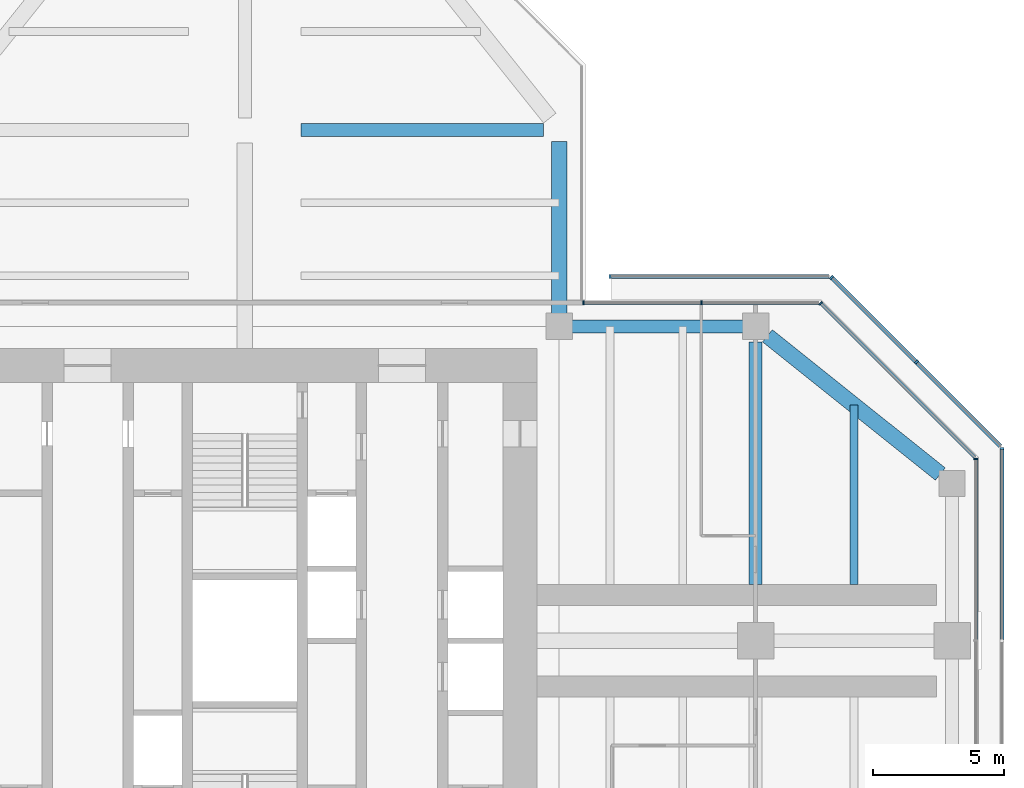
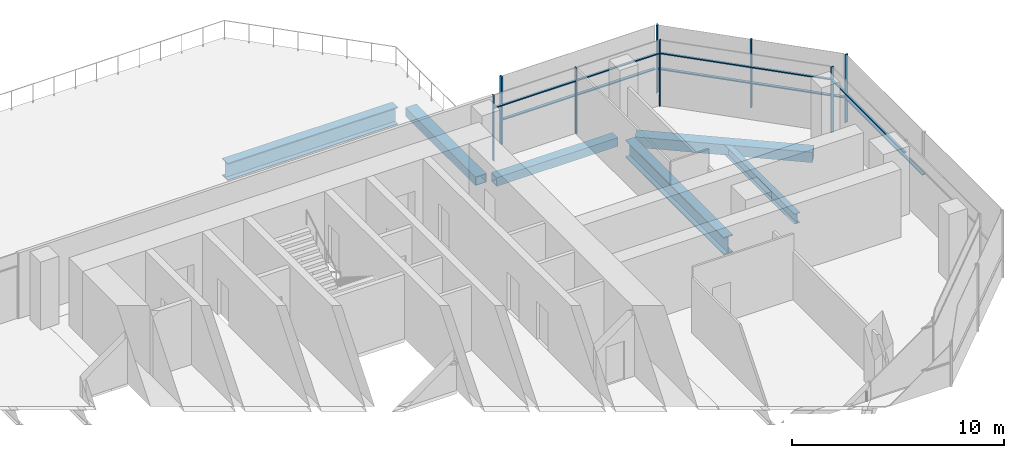
# One storey, part 8 of 15: 16 members, 6 beams, 6 elements without a shape of their own.
"""IFC4 building model written with IfcOpenShell, lengths in metres."""

from ifc_helpers import new_model, si_unit, direction, frame, origin, origin_2d, place, context, subcontext, project, spatial, rectangle, hollow_rectangle, i_section, extrude, material, material_profile, profile_set, type_object, element, aggregate, save


model = new_model("IFC4")

# Units and contexts
model_context = context("Model", 3, precision=1e-05, world=origin(), true_north=direction((0.0, 1.0)))
body_context = subcontext(model_context, "Body", "Model", "MODEL_VIEW")
ifc_project = project(units=[si_unit("LENGTHUNIT", "METRE"), si_unit("AREAUNIT", "SQUARE_METRE"), si_unit("VOLUMEUNIT", "CUBIC_METRE"), si_unit("PLANEANGLEUNIT", "RADIAN"), si_unit("MASSUNIT", "GRAM", prefix="KILO")], contexts=[model_context])

# Site, building, storey
site_placement = place(None, origin())
site = spatial("IfcSite", under=ifc_project, at=site_placement, CompositionType="ELEMENT")
building_placement = place(site_placement, origin())
building = spatial("IfcBuilding", under=site, at=building_placement, Name="Mizan Broadcast Tower", CompositionType="ELEMENT")
storey_placement = place(building_placement, frame((0.0, 0.0, 267.300048828125)))
storey = spatial("IfcBuildingStorey", under=building, at=storey_placement, Name="L63", CompositionType="ELEMENT", Elevation=267.300048828125)

# Beams
ifc_material_1 = material(Name="Steel S355", Category="steel")
ifc_material_profile_1 = material_profile(ifc_material_1, hollow_rectangle(XDim=0.5, YDim=0.5, WallThickness=0.030029296875, at=origin_2d()), Name="BOX 500x500x30")
ifc_profile_set_1 = profile_set([ifc_material_profile_1], Name="Steel S355")
beam_type_1 = type_object("IfcBeamType", Name="EDGE BEAM BOX 500x500x30", PredefinedType="SPANDREL", material=ifc_profile_set_1)
beam_1_placement = place(storey_placement, frame((12.449951171875, 12.0, -0.380126953125), z_axis=(1.0, 0.0, 0.0), x_axis=(0.0, 1.0, 0.0)))
element("IfcBeam", 1, at=beam_1_placement, inside=storey, type_object=beam_type_1, Name="Edge beam BOX 500x500x30 L63 east arm", PredefinedType="SPANDREL", context=body_context, shape_type="SweptSolid", body=[
    extrude(hollow_rectangle(XDim=0.5, YDim=0.5, WallThickness=0.030029296875, at=origin_2d()), origin(), (0.0, 0.0, 1.0), 6.60009765625),
])
ifc_material_2 = material(Name="Steel S355", Category="steel")
ifc_material_profile_2 = material_profile(ifc_material_2, hollow_rectangle(XDim=0.60009765625, YDim=0.5, WallThickness=0.030029296875, at=origin_2d()), Name="BOX 500x600x30")
ifc_profile_set_2 = profile_set([ifc_material_profile_2], Name="Steel S355")
beam_type_2 = type_object("IfcBeamType", Name="EDGE BEAM BOX 500x600x30", PredefinedType="SPANDREL", material=ifc_profile_set_2)
beam_2_placement = place(storey_placement, frame((12.0, 12.449951171875, -0.5), z_axis=(0.0, 1.0, 0.0), x_axis=(-1.0, 0.0, 0.0)))
element("IfcBeam", 2, at=beam_2_placement, inside=storey, type_object=beam_type_2, Name="Edge beam BOX 500x600x30 L63 north arm", PredefinedType="SPANDREL", context=body_context, shape_type="SweptSolid", body=[
    extrude(hollow_rectangle(XDim=0.60009765625, YDim=0.5, WallThickness=0.030029296875, at=origin_2d()), origin(), (0.0, 0.0, 1.0), 6.60009765625),
])
ifc_material_3 = material(Name="Steel S355", Category="steel")
ifc_material_profile_3 = material_profile(ifc_material_3, hollow_rectangle(XDim=0.60009765625, YDim=0.60009765625, WallThickness=0.030029296875, at=origin_2d()), Name="BOX 600x600x30")
ifc_profile_set_3 = profile_set([ifc_material_profile_3], Name="Steel S355")
beam_type_3 = type_object("IfcBeamType", Name="EDGE BEAM BOX 600x600x30", PredefinedType="SPANDREL", material=ifc_profile_set_3)
beam_3_placement = place(storey_placement, frame((19.949951171875, 11.639892578125, -0.429931640625), z_axis=(0.780885717636, -0.624673911726, 0.0), x_axis=(0.624673911726, 0.780885717636, 0.0)))
element("IfcBeam", 3, at=beam_3_placement, inside=storey, type_object=beam_type_3, Name="Edge beam BOX 600x600x30 L63 east arm", PredefinedType="SPANDREL", context=body_context, shape_type="SweptSolid", body=[
    extrude(hollow_rectangle(XDim=0.60009765625, YDim=0.60009765625, WallThickness=0.030029296875, at=origin_2d()), origin(), (0.0, 0.0, 1.0), 8.4521484375),
])
ifc_material_4 = material(Name="Steel S460", Category="steel")
ifc_material_profile_4 = material_profile(ifc_material_4, i_section(OverallWidth=0.5, OverallDepth=1.0, WebThickness=0.02490234375, FlangeThickness=0.050048828125, at=origin_2d()), Name="WPG 1000x500")
ifc_profile_set_4 = profile_set([ifc_material_profile_4], Name="Steel S460")
beam_type_4 = type_object("IfcBeamType", Name="GIRDER WPG 1000x500", PredefinedType="BEAM", material=ifc_profile_set_4)
for number, where, z_axis, x_axis, name in (
    (4, (19.5, 11.408935546875, -0.630126953125), (0.0, -1.0, 0.0), (1.0, 0.0, 0.0), "Girder WPG 1000x500 L63 east arm"),
    (5, (11.408935546875, 19.5, -0.75), (-1.0, 0.0, 0.0), (0.0, -1.0, 0.0), "Girder WPG 1000x500 L63 north arm"),
):
    element("IfcBeam", number, at=place(storey_placement, frame(where, z_axis=z_axis, x_axis=x_axis)), inside=storey, type_object=beam_type_4, Name=name, PredefinedType="BEAM", context=body_context, shape_type="SweptSolid", body=[
        extrude(i_section(OverallWidth=0.5, OverallDepth=1.0, WebThickness=0.02490234375, FlangeThickness=0.050048828125, at=origin_2d()), origin(), (0.0, 0.0, 1.0), 9.259033203125),
    ])

# Curtain wall, member
ifc_material_5 = material(Name="Aluminium framed glazing", Category="aluminium")
curtain_wall_type_1 = type_object("IfcCurtainWallType", Name="INNER SKIN TOP ZONE", PredefinedType="USERDEFINED", material=ifc_material_5)
curtain_wall_1_placement = place(storey_placement, origin())
curtain_wall_1 = element("IfcCurtainWall", 6, at=curtain_wall_1_placement, inside=storey, type_object=curtain_wall_type_1, Name="Inner skin top zone L63 E end", ObjectType="INNER SKIN TOP ZONE", PredefinedType="USERDEFINED")
ifc_material_6 = material(Name="Aluminium, pale anodised", Category="aluminium")
ifc_material_profile_5 = material_profile(ifc_material_6, rectangle(XDim=0.159912109375, YDim=0.06005859375, at=origin_2d()), Name="MULLION 160x60")
ifc_profile_set_5 = profile_set([ifc_material_profile_5], Name="Aluminium, pale anodised")
member_type_1 = type_object("IfcMemberType", Name="INNER SKIN MULLION 60x160", PredefinedType="MULLION", material=ifc_profile_set_5)
member_1_placement = place(storey_placement, frame((27.89990234375, 6.928466796875, 0.0), z_axis=(0.0, 0.0, 1.0), x_axis=(-1.0, 0.0, 0.0)))
member_1 = element("IfcMember", 7, at=member_1_placement, type_object=member_type_1, Name="Inner skin top zone L63 E end mullion 3", PredefinedType="MULLION", context=body_context, shape_type="SweptSolid", body=[
    extrude(rectangle(XDim=0.159912109375, YDim=0.06005859375, at=origin_2d()), origin(), (0.0, 0.0, 1.0), 3.77001953125),
])

curtain_wall_2_placement = place(storey_placement, origin())
curtain_wall_2 = element("IfcCurtainWall", 8, at=curtain_wall_2_placement, inside=storey, type_object=curtain_wall_type_1, Name="Inner skin top zone L63 E chamfer", ObjectType="INNER SKIN TOP ZONE", PredefinedType="USERDEFINED")
member_2_placement = place(storey_placement, frame((21.979736328125, 12.87890625, 0.0), z_axis=(0.0, 0.0, 1.0), x_axis=(-0.707106781187, -0.707106781187, 0.0)))
member_2 = element("IfcMember", 9, at=member_2_placement, type_object=member_type_1, Name="Inner skin top zone L63 E chamfer mullion 2", PredefinedType="MULLION", context=body_context, shape_type="SweptSolid", body=[
    extrude(rectangle(XDim=0.159912109375, YDim=0.06005859375, at=origin_2d()), origin(), (0.0, 0.0, 1.0), 3.77001953125),
])

# Curtain wall, members
curtain_wall_3_placement = place(storey_placement, origin())
curtain_wall_3 = element("IfcCurtainWall", 10, at=curtain_wall_3_placement, inside=storey, type_object=curtain_wall_type_1, Name="Inner skin top zone L63 N end", ObjectType="INNER SKIN TOP ZONE", PredefinedType="USERDEFINED")
member_3_placement = place(storey_placement, frame((17.42919921875, 12.89990234375, 0.0), z_axis=(0.0, 0.0, 1.0), x_axis=(0.0, -1.0, 0.0)))
member_3 = element("IfcMember", 11, at=member_3_placement, type_object=member_type_1, Name="Inner skin top zone L63 N end mullion 2", PredefinedType="MULLION", context=body_context, shape_type="SweptSolid", body=[
    extrude(rectangle(XDim=0.159912109375, YDim=0.06005859375, at=origin_2d()), origin(), (0.0, 0.0, 1.0), 3.77001953125),
])
member_4_placement = place(storey_placement, frame((12.929931640625, 12.89990234375, 0.0), z_axis=(0.0, 0.0, 1.0), x_axis=(0.0, -1.0, 0.0)))
member_4 = element("IfcMember", 12, at=member_4_placement, type_object=member_type_1, Name="Inner skin top zone L63 N end mullion 3", PredefinedType="MULLION", context=body_context, shape_type="SweptSolid", body=[
    extrude(rectangle(XDim=0.159912109375, YDim=0.06005859375, at=origin_2d()), origin(), (0.0, 0.0, 1.0), 3.77001953125),
])

# Member
ifc_material_7 = material(Name="Aluminium, pale anodised", Category="aluminium")
ifc_material_profile_6 = material_profile(ifc_material_7, rectangle(XDim=0.1201171875, YDim=0.06005859375, at=origin_2d()), Name="TRANSOM 120x60")
ifc_profile_set_6 = profile_set([ifc_material_profile_6], Name="Aluminium, pale anodised")
member_type_2 = type_object("IfcMemberType", Name="INNER SKIN TRANSOM 60x120", PredefinedType="USERDEFINED", material=ifc_profile_set_6)
member_5_placement = place(storey_placement, frame((27.89990234375, 0.030029296875, 3.030029296875), z_axis=(0.0, 1.0, 0.0), x_axis=(-1.0, 0.0, 0.0)))
member_5 = element("IfcMember", 13, at=member_5_placement, type_object=member_type_2, Name="Inner skin top zone L63 E end transom 2.1", ObjectType="TRANSOM", PredefinedType="USERDEFINED", context=body_context, shape_type="SweptSolid", body=[
    extrude(rectangle(XDim=0.1201171875, YDim=0.06005859375, at=origin_2d()), origin(), (0.0, 0.0, 1.0), 6.86865234375),
])

aggregate(curtain_wall_1, [member_1, member_5])

member_6_placement = place(storey_placement, frame((27.857666015625, 7.0009765625, 3.030029296875), z_axis=(-0.707106781187, 0.707106781187, 0.0), x_axis=(-0.707106781187, -0.707106781187, 0.0)))
member_6 = element("IfcMember", 14, at=member_6_placement, type_object=member_type_2, Name="Inner skin top zone L63 E chamfer transom 1.1", ObjectType="TRANSOM", PredefinedType="USERDEFINED", context=body_context, shape_type="SweptSolid", body=[
    extrude(rectangle(XDim=0.1201171875, YDim=0.06005859375, at=origin_2d()), origin(), (0.0, 0.0, 1.0), 8.28271484375),
])

aggregate(curtain_wall_2, [member_2, member_6])

member_7_placement = place(storey_placement, frame((21.898681640625, 12.89990234375, 3.030029296875), z_axis=(-1.0, 0.0, 0.0), x_axis=(0.0, -1.0, 0.0)))
member_7 = element("IfcMember", 15, at=member_7_placement, type_object=member_type_2, Name="Inner skin top zone L63 N end transom 1.1", ObjectType="TRANSOM", PredefinedType="USERDEFINED", context=body_context, shape_type="SweptSolid", body=[
    extrude(rectangle(XDim=0.1201171875, YDim=0.06005859375, at=origin_2d()), origin(), (0.0, 0.0, 1.0), 4.439453125),
])

member_8_placement = place(storey_placement, frame((17.399169921875, 12.89990234375, 3.030029296875), z_axis=(-1.0, 0.0, 0.0), x_axis=(0.0, -1.0, 0.0)))
member_8 = element("IfcMember", 16, at=member_8_placement, type_object=member_type_2, Name="Inner skin top zone L63 N end transom 2.1", ObjectType="TRANSOM", PredefinedType="USERDEFINED", context=body_context, shape_type="SweptSolid", body=[
    extrude(rectangle(XDim=0.1201171875, YDim=0.06005859375, at=origin_2d()), origin(), (0.0, 0.0, 1.0), 4.439208984375),
])

aggregate(curtain_wall_3, [member_3, member_4, member_7, member_8])

# Curtain wall, member
ifc_material_8 = material(Name="Aluminium framed glazing", Category="aluminium")
curtain_wall_type_2 = type_object("IfcCurtainWallType", Name="OUTER SKIN", PredefinedType="USERDEFINED", material=ifc_material_8)
curtain_wall_4_placement = place(storey_placement, origin())
curtain_wall_4 = element("IfcCurtainWall", 17, at=curtain_wall_4_placement, inside=storey, type_object=curtain_wall_type_2, Name="Outer skin L63 E end", ObjectType="OUTER SKIN", PredefinedType="USERDEFINED")
ifc_material_9 = material(Name="Aluminium, pale anodised", Category="aluminium")
ifc_material_profile_7 = material_profile(ifc_material_9, rectangle(XDim=0.159912109375, YDim=0.080078125, at=origin_2d()), Name="MULLION 160x80")
ifc_profile_set_7 = profile_set([ifc_material_profile_7], Name="Aluminium, pale anodised")
member_type_3 = type_object("IfcMemberType", Name="OUTER SKIN MULLION 80x160", PredefinedType="MULLION", material=ifc_profile_set_7)
member_9_placement = place(storey_placement, frame((28.89990234375, 7.332763671875, 0.0), z_axis=(0.0, 0.0, 1.0), x_axis=(-1.0, 0.0, 0.0)))
member_9 = element("IfcMember", 18, at=member_9_placement, type_object=member_type_3, Name="Outer skin L63 E end mullion 3", PredefinedType="MULLION", context=body_context, shape_type="SweptSolid", body=[
    extrude(rectangle(XDim=0.159912109375, YDim=0.080078125, at=origin_2d()), origin(), (0.0, 0.0, 1.0), 3.89990234375),
])

# Curtain wall, members
curtain_wall_5_placement = place(storey_placement, origin())
curtain_wall_5 = element("IfcCurtainWall", 19, at=curtain_wall_5_placement, inside=storey, type_object=curtain_wall_type_2, Name="Outer skin L63 E chamfer", ObjectType="OUTER SKIN", PredefinedType="USERDEFINED")
member_10_placement = place(storey_placement, frame((25.636474609375, 10.636474609375, 0.0), z_axis=(0.0, 0.0, 1.0), x_axis=(-0.707106781187, -0.707106781187, 0.0)))
member_10 = element("IfcMember", 20, at=member_10_placement, type_object=member_type_3, Name="Outer skin L63 E chamfer mullion 2", PredefinedType="MULLION", context=body_context, shape_type="SweptSolid", body=[
    extrude(rectangle(XDim=0.159912109375, YDim=0.080078125, at=origin_2d()), origin(), (0.0, 0.0, 1.0), 3.89990234375),
])
member_11_placement = place(storey_placement, frame((22.401123046875, 13.871826171875, 0.0), z_axis=(0.0, 0.0, 1.0), x_axis=(-0.707106781187, -0.707106781187, 0.0)))
member_11 = element("IfcMember", 21, at=member_11_placement, type_object=member_type_3, Name="Outer skin L63 E chamfer mullion 3", PredefinedType="MULLION", context=body_context, shape_type="SweptSolid", body=[
    extrude(rectangle(XDim=0.159912109375, YDim=0.080078125, at=origin_2d()), origin(), (0.0, 0.0, 1.0), 3.89990234375),
])

# Curtain wall, member
curtain_wall_6_placement = place(storey_placement, origin())
curtain_wall_6 = element("IfcCurtainWall", 22, at=curtain_wall_6_placement, inside=storey, type_object=curtain_wall_type_2, Name="Outer skin L63 N face", ObjectType="OUTER SKIN", PredefinedType="USERDEFINED")
member_12_placement = place(storey_placement, frame((13.93994140625, 13.89990234375, 0.0), z_axis=(0.0, 0.0, 1.0), x_axis=(0.0, -1.0, 0.0)))
member_12 = element("IfcMember", 23, at=member_12_placement, type_object=member_type_3, Name="Outer skin L63 N face mullion 2", PredefinedType="MULLION", context=body_context, shape_type="SweptSolid", body=[
    extrude(rectangle(XDim=0.159912109375, YDim=0.080078125, at=origin_2d()), origin(), (0.0, 0.0, 1.0), 3.89990234375),
])

# Member
ifc_material_10 = material(Name="Aluminium, pale anodised", Category="aluminium")
ifc_material_profile_8 = material_profile(ifc_material_10, rectangle(XDim=0.159912109375, YDim=0.06005859375, at=origin_2d()), Name="TRANSOM 160x60")
ifc_profile_set_8 = profile_set([ifc_material_profile_8], Name="Aluminium, pale anodised")
member_type_4 = type_object("IfcMemberType", Name="OUTER SKIN TRANSOM 60x160", PredefinedType="USERDEFINED", material=ifc_profile_set_8)
member_13_placement = place(storey_placement, frame((28.89990234375, 0.0400390625, 1.39990234375), z_axis=(0.0, 1.0, 0.0), x_axis=(-1.0, 0.0, 0.0)))
member_13 = element("IfcMember", 24, at=member_13_placement, type_object=member_type_4, Name="Outer skin L63 E end transom 2.1", ObjectType="TRANSOM", PredefinedType="USERDEFINED", context=body_context, shape_type="SweptSolid", body=[
    extrude(rectangle(XDim=0.159912109375, YDim=0.06005859375, at=origin_2d()), origin(), (0.0, 0.0, 1.0), 7.252685546875),
])

aggregate(curtain_wall_4, [member_9, member_13])

member_14_placement = place(storey_placement, frame((28.843505859375, 7.429443359375, 1.39990234375), z_axis=(-0.707106781187, 0.707106781187, 0.0), x_axis=(-0.707106781187, -0.707106781187, 0.0)))
member_14 = element("IfcMember", 25, at=member_14_placement, type_object=member_type_4, Name="Outer skin L63 E chamfer transom 1.1", ObjectType="TRANSOM", PredefinedType="USERDEFINED", context=body_context, shape_type="SweptSolid", body=[
    extrude(rectangle(XDim=0.159912109375, YDim=0.06005859375, at=origin_2d()), origin(), (0.0, 0.0, 1.0), 4.495361328125),
])

member_15_placement = place(storey_placement, frame((25.608154296875, 10.664794921875, 1.39990234375), z_axis=(-0.707106781187, 0.707106781187, 0.0), x_axis=(-0.707106781187, -0.707106781187, 0.0)))
member_15 = element("IfcMember", 26, at=member_15_placement, type_object=member_type_4, Name="Outer skin L63 E chamfer transom 2.1", ObjectType="TRANSOM", PredefinedType="USERDEFINED", context=body_context, shape_type="SweptSolid", body=[
    extrude(rectangle(XDim=0.159912109375, YDim=0.06005859375, at=origin_2d()), origin(), (0.0, 0.0, 1.0), 4.495361328125),
])

aggregate(curtain_wall_5, [member_10, member_11, member_14, member_15])

member_16_placement = place(storey_placement, frame((22.292724609375, 13.89990234375, 1.39990234375), z_axis=(-1.0, 0.0, 0.0), x_axis=(0.0, -1.0, 0.0)))
member_16 = element("IfcMember", 27, at=member_16_placement, type_object=member_type_4, Name="Outer skin L63 N face transom 1.1", ObjectType="TRANSOM", PredefinedType="USERDEFINED", context=body_context, shape_type="SweptSolid", body=[
    extrude(rectangle(XDim=0.159912109375, YDim=0.06005859375, at=origin_2d()), origin(), (0.0, 0.0, 1.0), 8.312744140625),
])

aggregate(curtain_wall_6, [member_12, member_16])

# Beam
ifc_material_11 = material(Name="Steel S355", Category="steel")
ifc_material_profile_9 = material_profile(ifc_material_11, i_section(OverallWidth=0.300048828125, OverallDepth=0.590087890625, WebThickness=0.012939453125, FlangeThickness=0.02490234375, FilletRadius=0.027099609375, at=origin_2d()), Name="HEA 600")
ifc_profile_set_9 = profile_set([ifc_material_profile_9], Name="Steel S355")
beam_type_5 = type_object("IfcBeamType", Name="SECONDARY BEAM HEA 600", PredefinedType="JOIST", material=ifc_profile_set_9)
beam_4_placement = place(storey_placement, frame((23.25, 9.0, -0.425048828125), z_axis=(0.0, -1.0, 0.0), x_axis=(1.0, 0.0, 0.0)))
element("IfcBeam", 28, at=beam_4_placement, inside=storey, type_object=beam_type_5, Name="Secondary beam HEA 600 L63 east arm", PredefinedType="JOIST", context=body_context, shape_type="SweptSolid", body=[
    extrude(i_section(OverallWidth=0.300048828125, OverallDepth=0.590087890625, WebThickness=0.012939453125, FlangeThickness=0.02490234375, FilletRadius=0.027099609375, at=origin_2d()), origin(), (0.0, 0.0, 1.0), 6.85009765625),
])

save(model, "model.ifc")
